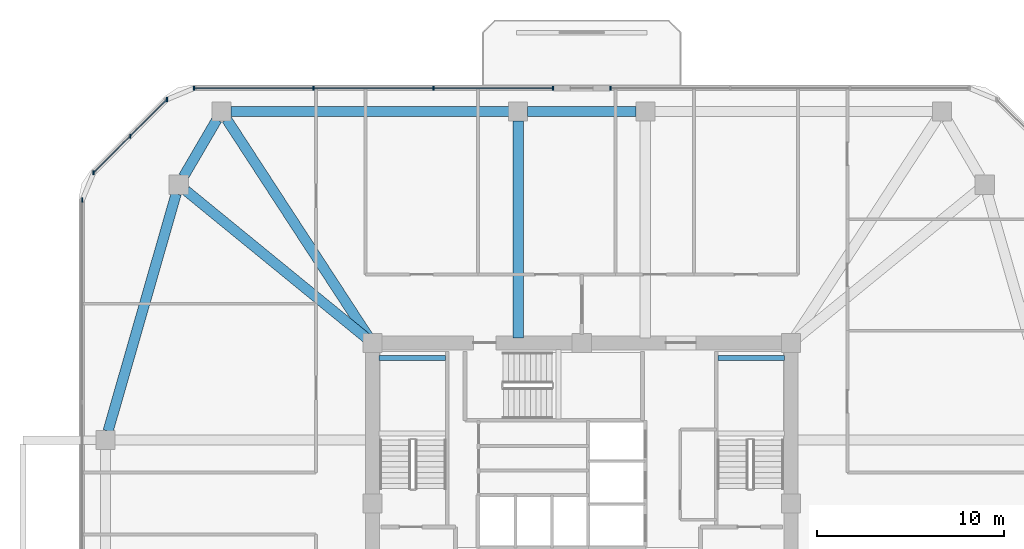
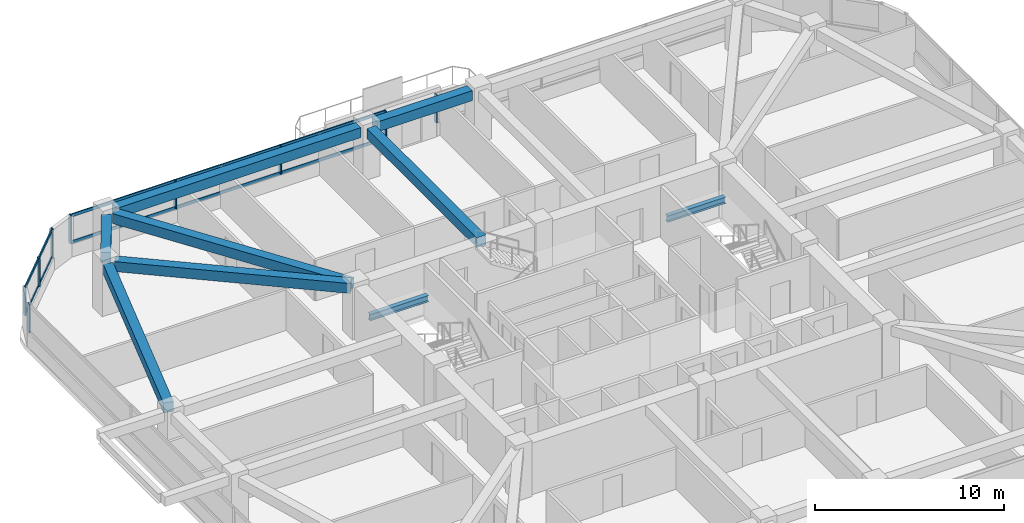
# One storey, part 6 of 14: 13 members, 9 beams, 4 elements without a shape of their own.
"""IFC4 building model written with IfcOpenShell, lengths in metres."""

from ifc_helpers import new_model, si_unit, derived_unit, direction, frame, origin, origin_2d, place, context, subcontext, project, spatial, rectangle, i_section, extrude, material, material_profile, profile_set, type_object, element, aggregate, save


model = new_model("IFC4")

# Units and contexts
model_context = context("Model", 3, precision=1e-05, world=origin(), true_north=direction((0.0, 1.0)))
body_context = subcontext(model_context, "Body", "Model", "MODEL_VIEW")
ifc_project = project(units=[si_unit("LENGTHUNIT", "METRE"), si_unit("AREAUNIT", "SQUARE_METRE"), si_unit("VOLUMEUNIT", "CUBIC_METRE"), si_unit("PLANEANGLEUNIT", "RADIAN"), si_unit("MASSUNIT", "GRAM", prefix="KILO"), derived_unit("THERMALTRANSMITTANCEUNIT", [(si_unit("POWERUNIT", "WATT"), 1), (si_unit("LENGTHUNIT", "METRE"), -2), (si_unit("THERMODYNAMICTEMPERATUREUNIT", "KELVIN"), -1)])], contexts=[model_context])

# Site, building, storey
site_placement = place(None, origin())
site = spatial("IfcSite", under=ifc_project, at=site_placement, CompositionType="ELEMENT")
building_placement = place(site_placement, origin())
building = spatial("IfcBuilding", under=site, at=building_placement, Name="Koralith Skygarden Medical Center", CompositionType="ELEMENT")
storey_placement = place(building_placement, frame((0.0, 0.0, 81.179931640625)))
storey = spatial("IfcBuildingStorey", under=building, at=storey_placement, Name="L20", CompositionType="ELEMENT", Elevation=81.179931640625)

# Curtain wall, member
ifc_material_1 = material(Name="Clear Laminated Glass", Category="glass")
curtain_wall_type = type_object("IfcCurtainWallType", Name="CW-3 Zone 2 Faceted Solar Curtain Wall", PredefinedType="NOTDEFINED", material=ifc_material_1)
curtain_wall_1_placement = place(storey_placement, origin())
curtain_wall_1 = element("IfcCurtainWall", 1, at=curtain_wall_1_placement, inside=storey, type_object=curtain_wall_type, Name="Curtain Wall CW-L20-N-L", PredefinedType="NOTDEFINED")
ifc_material_2 = material(Name="Aluminium 6063-T6", Category="aluminium")
ifc_material_profile_1 = material_profile(ifc_material_2, rectangle(XDim=0.073974609375, YDim=0.219970703125, at=origin_2d()), Name="MUL74X220")
ifc_profile_set_1 = profile_set([ifc_material_profile_1], Name="Aluminium 6063-T6")
member_type_1 = type_object("IfcMemberType", Name="CW-3 Extruded Mullion 74x220", PredefinedType="MULLION", material=ifc_profile_set_1)
member_1_placement = place(storey_placement, frame((38.541015625, 48.1201171875, 0.85009765625), z_axis=(0.0, 0.0, 1.0), x_axis=(1.0, 0.0, 0.0)))
member_1 = element("IfcMember", 2, at=member_1_placement, type_object=member_type_1, Name="CW-L20-N-L Mullion 4", PredefinedType="MULLION", context=body_context, shape_type="SweptSolid", body=[
    extrude(rectangle(XDim=0.073974609375, YDim=0.219970703125, at=origin_2d()), origin(), (0.0, 0.0, 1.0), 1.820068359375),
])
aggregate(curtain_wall_1, [member_1])

# Curtain wall, members
curtain_wall_2_placement = place(storey_placement, origin())
curtain_wall_2 = element("IfcCurtainWall", 3, at=curtain_wall_2_placement, inside=storey, type_object=curtain_wall_type, Name="Curtain Wall CW-L20-N-R", PredefinedType="NOTDEFINED")
member_2_placement = place(storey_placement, frame((35.4609375, 48.1201171875, 0.85009765625), z_axis=(0.0, 0.0, 1.0), x_axis=(1.0, 0.0, 0.0)))
member_2 = element("IfcMember", 4, at=member_2_placement, type_object=member_type_1, Name="CW-L20-N-R Mullion 1", PredefinedType="MULLION", context=body_context, shape_type="SweptSolid", body=[
    extrude(rectangle(XDim=0.073974609375, YDim=0.219970703125, at=origin_2d()), origin(), (0.0, 0.0, 1.0), 1.820068359375),
])
member_3_placement = place(storey_placement, frame((29.05908203125, 48.1201171875, 0.85009765625), z_axis=(0.0, 0.0, 1.0), x_axis=(1.0, 0.0, 0.0)))
member_3 = element("IfcMember", 5, at=member_3_placement, type_object=member_type_1, Name="CW-L20-N-R Mullion 2", PredefinedType="MULLION", context=body_context, shape_type="SweptSolid", body=[
    extrude(rectangle(XDim=0.073974609375, YDim=0.219970703125, at=origin_2d()), origin(), (0.0, 0.0, 1.0), 1.820068359375),
])
member_4_placement = place(storey_placement, frame((22.656982421875, 48.1201171875, 0.85009765625), z_axis=(0.0, 0.0, 1.0), x_axis=(1.0, 0.0, 0.0)))
member_4 = element("IfcMember", 6, at=member_4_placement, type_object=member_type_1, Name="CW-L20-N-R Mullion 3", PredefinedType="MULLION", context=body_context, shape_type="SweptSolid", body=[
    extrude(rectangle(XDim=0.073974609375, YDim=0.219970703125, at=origin_2d()), origin(), (0.0, 0.0, 1.0), 1.820068359375),
])
member_5_placement = place(storey_placement, frame((16.2548828125, 48.1201171875, 0.85009765625), z_axis=(0.0, 0.0, 1.0), x_axis=(1.0, 0.0, 0.0)))
member_5 = element("IfcMember", 7, at=member_5_placement, type_object=member_type_1, Name="CW-L20-N-R Mullion 4", PredefinedType="MULLION", context=body_context, shape_type="SweptSolid", body=[
    extrude(rectangle(XDim=0.073974609375, YDim=0.219970703125, at=origin_2d()), origin(), (0.0, 0.0, 1.0), 1.820068359375),
])

curtain_wall_3_placement = place(storey_placement, origin())
curtain_wall_3 = element("IfcCurtainWall", 8, at=curtain_wall_3_placement, inside=storey, type_object=curtain_wall_type, Name="Curtain Wall CW-L20-NW", PredefinedType="NOTDEFINED")
member_6_placement = place(storey_placement, frame((14.803955078125, 47.51904296875, 0.85009765625), z_axis=(0.0, 0.0, 1.0), x_axis=(1.0, 0.0, 0.0)))
member_6 = element("IfcMember", 9, at=member_6_placement, type_object=member_type_1, Name="CW-L20-NW Mullion 1", PredefinedType="MULLION", context=body_context, shape_type="SweptSolid", body=[
    extrude(rectangle(XDim=0.073974609375, YDim=0.219970703125, at=origin_2d()), origin(), (0.0, 0.0, 1.0), 1.820068359375),
])
member_7_placement = place(storey_placement, frame((12.843017578125, 45.556884765625, 0.85009765625), z_axis=(0.0, 0.0, 1.0), x_axis=(1.0, 0.0, 0.0)))
member_7 = element("IfcMember", 10, at=member_7_placement, type_object=member_type_1, Name="CW-L20-NW Mullion 2", PredefinedType="MULLION", context=body_context, shape_type="SweptSolid", body=[
    extrude(rectangle(XDim=0.073974609375, YDim=0.219970703125, at=origin_2d()), origin(), (0.0, 0.0, 1.0), 1.820068359375),
])
member_8_placement = place(storey_placement, frame((10.881103515625, 43.595947265625, 0.85009765625), z_axis=(0.0, 0.0, 1.0), x_axis=(1.0, 0.0, 0.0)))
member_8 = element("IfcMember", 11, at=member_8_placement, type_object=member_type_1, Name="CW-L20-NW Mullion 3", PredefinedType="MULLION", context=body_context, shape_type="SweptSolid", body=[
    extrude(rectangle(XDim=0.073974609375, YDim=0.219970703125, at=origin_2d()), origin(), (0.0, 0.0, 1.0), 1.820068359375),
])

# Curtain wall, member
curtain_wall_4_placement = place(storey_placement, origin())
curtain_wall_4 = element("IfcCurtainWall", 12, at=curtain_wall_4_placement, inside=storey, type_object=curtain_wall_type, Name="Curtain Wall CW-L20-W", PredefinedType="NOTDEFINED")
member_9_placement = place(storey_placement, frame((10.280029296875, 42.14501953125, 0.85009765625), z_axis=(0.0, 0.0, 1.0), x_axis=(1.0, 0.0, 0.0)))
member_9 = element("IfcMember", 13, at=member_9_placement, type_object=member_type_1, Name="CW-L20-W Mullion 1", PredefinedType="MULLION", context=body_context, shape_type="SweptSolid", body=[
    extrude(rectangle(XDim=0.073974609375, YDim=0.219970703125, at=origin_2d()), origin(), (0.0, 0.0, 1.0), 1.820068359375),
])
aggregate(curtain_wall_4, [member_9])

# Member
ifc_material_profile_2 = material_profile(ifc_material_2, rectangle(XDim=0.069091796875, YDim=0.197998046875, at=origin_2d()), Name="TRN69X198")
ifc_profile_set_2 = profile_set([ifc_material_profile_2], Name="Aluminium 6063-T6")
member_type_2 = type_object("IfcMemberType", Name="CW-3 Thermal Transom 69x198", PredefinedType="USERDEFINED", material=ifc_profile_set_2)
member_10_placement = place(storey_placement, frame((35.4609375, 48.1201171875, 0.900146484375), z_axis=(-1.0, 0.0, 0.0), x_axis=(0.0, -1.0, 0.0)))
member_10 = element("IfcMember", 14, at=member_10_placement, type_object=member_type_2, Name="CW-L20-N-R Transom 1", ObjectType="TRANSOM", PredefinedType="USERDEFINED", context=body_context, shape_type="SweptSolid", body=[
    extrude(rectangle(XDim=0.069091796875, YDim=0.197998046875, at=origin_2d()), origin(), (0.0, 0.0, 1.0), 19.2060546875),
])

member_11_placement = place(storey_placement, frame((35.4609375, 48.1201171875, 2.6201171875), z_axis=(-1.0, 0.0, 0.0), x_axis=(0.0, -1.0, 0.0)))
member_11 = element("IfcMember", 15, at=member_11_placement, type_object=member_type_2, Name="CW-L20-N-R Transom 2", ObjectType="TRANSOM", PredefinedType="USERDEFINED", context=body_context, shape_type="SweptSolid", body=[
    extrude(rectangle(XDim=0.069091796875, YDim=0.197998046875, at=origin_2d()), origin(), (0.0, 0.0, 1.0), 19.2060546875),
])

aggregate(curtain_wall_2, [member_2, member_3, member_4, member_5, member_10, member_11])

member_12_placement = place(storey_placement, frame((14.803955078125, 47.51904296875, 0.900146484375), z_axis=(-0.707084777957, -0.707128783731, 0.0), x_axis=(0.707128783731, -0.707084777957, 0.0)))
member_12 = element("IfcMember", 16, at=member_12_placement, type_object=member_type_2, Name="CW-L20-NW Transom 1", ObjectType="TRANSOM", PredefinedType="USERDEFINED", context=body_context, shape_type="SweptSolid", body=[
    extrude(rectangle(XDim=0.069091796875, YDim=0.197998046875, at=origin_2d()), origin(), (0.0, 0.0, 1.0), 5.5478515625),
])

member_13_placement = place(storey_placement, frame((14.803955078125, 47.51904296875, 2.6201171875), z_axis=(-0.707084777957, -0.707128783731, 0.0), x_axis=(0.707128783731, -0.707084777957, 0.0)))
member_13 = element("IfcMember", 17, at=member_13_placement, type_object=member_type_2, Name="CW-L20-NW Transom 2", ObjectType="TRANSOM", PredefinedType="USERDEFINED", context=body_context, shape_type="SweptSolid", body=[
    extrude(rectangle(XDim=0.069091796875, YDim=0.197998046875, at=origin_2d()), origin(), (0.0, 0.0, 1.0), 5.5478515625),
])

aggregate(curtain_wall_3, [member_6, member_7, member_8, member_12, member_13])

# Beams
ifc_material_3 = material(Name="Steel ASTM A992 Grade 50", Category="steel")
ifc_material_profile_3 = material_profile(ifc_material_3, i_section(OverallWidth=0.260009765625, OverallDepth=0.4150390625, WebThickness=0.010009765625, FlangeThickness=0.016845703125, at=origin_2d()), Name="W16X67")
ifc_profile_set_3 = profile_set([ifc_material_profile_3], Name="Steel ASTM A992 Grade 50")
beam_type_1 = type_object("IfcBeamType", Name="Clinical Floor Joist W16X67", PredefinedType="JOIST", material=ifc_profile_set_3)
for number, where, z_axis, x_axis, name in (
    (18, (26.155029296875, 33.699951171875, 1.39306640625), (1.0, 0.0, 0.0), (0.0, 1.0, 0.0), "L20 Stair ST1 Half-Landing Support Beam 1B"),
    (19, (44.280029296875, 33.699951171875, 1.39306640625), (1.0, 0.0, 0.0), (0.0, 1.0, 0.0), "L20 Stair ST2 Half-Landing Support Beam 1B"),
):
    element("IfcBeam", number, at=place(storey_placement, frame(where, z_axis=z_axis, x_axis=x_axis)), inside=storey, type_object=beam_type_1, Name=name, PredefinedType="JOIST", context=body_context, shape_type="SweptSolid", body=[
        extrude(i_section(OverallWidth=0.260009765625, OverallDepth=0.4150390625, WebThickness=0.010009765625, FlangeThickness=0.016845703125, at=origin_2d()), origin(), (0.0, 0.0, 1.0), 3.56494140625),
    ])
ifc_material_4 = material(Name="Concrete C45/55", Category="concrete")
ifc_material_profile_4 = material_profile(ifc_material_4, rectangle(XDim=0.550048828125, YDim=0.639892578125, at=origin_2d()), Name="RCB550X640")
ifc_profile_set_4 = profile_set([ifc_material_profile_4], Name="Concrete C45/55")
beam_type_2 = type_object("IfcBeamType", Name="Radial Collector Beam RCB550X640", PredefinedType="BEAM", material=ifc_profile_set_4)
beam_1_placement = place(storey_placement, frame((33.60009765625, 34.75, 3.0), z_axis=(0.0, 1.0, 0.0), x_axis=(-1.0, 0.0, 0.0)))
element("IfcBeam", 20, at=beam_1_placement, inside=storey, type_object=beam_type_2, Name="L20 Radial Collector Beam RB-13", PredefinedType="BEAM", context=body_context, shape_type="SweptSolid", body=[
    extrude(rectangle(XDim=0.550048828125, YDim=0.639892578125, at=origin_2d()), origin(), (0.0, 0.0, 1.0), 11.6298828125),
])
beam_2_placement = place(storey_placement, frame((25.6640625, 34.708984375, 3.0), z_axis=(-0.546010797592, 0.83777813824, 0.0), x_axis=(-0.83777813824, -0.546010797592, 0.0)))
element("IfcBeam", 21, at=beam_2_placement, inside=storey, type_object=beam_type_2, Name="L20 Radial Collector Beam RB-14", PredefinedType="BEAM", context=body_context, shape_type="SweptSolid", body=[
    extrude(rectangle(XDim=0.550048828125, YDim=0.639892578125, at=origin_2d()), origin(), (0.0, 0.0, 1.0), 14.027587890625),
])
beam_3_placement = place(storey_placement, frame((25.60595703125, 34.657958984375, 3.0), z_axis=(-0.774537653753, 0.632527804067, 0.0), x_axis=(-0.632527804067, -0.774537653753, 0.0)))
element("IfcBeam", 22, at=beam_3_placement, inside=storey, type_object=beam_type_2, Name="L20 Radial Collector Beam RB-15", PredefinedType="BEAM", context=body_context, shape_type="SweptSolid", body=[
    extrude(rectangle(XDim=0.550048828125, YDim=0.639892578125, at=origin_2d()), origin(), (0.0, 0.0, 1.0), 12.625732421875),
])
ifc_material_profile_5 = material_profile(ifc_material_4, rectangle(XDim=0.550048828125, YDim=0.639892578125, at=origin_2d()), Name="RCB550X640")
ifc_profile_set_5 = profile_set([ifc_material_profile_5], Name="Concrete C45/55")
beam_type_3 = type_object("IfcBeamType", Name="Zone 2-3 Spandrel Beam RCB550X640", PredefinedType="SPANDREL", material=ifc_profile_set_5)
beam_4_placement = place(storey_placement, frame((39.89990234375, 46.8798828125, 3.0), z_axis=(-1.0, 0.0, 0.0), x_axis=(0.0, -1.0, 0.0)))
element("IfcBeam", 23, at=beam_4_placement, inside=storey, type_object=beam_type_3, Name="L20 Perimeter Spandrel Beam SP-12", PredefinedType="SPANDREL", context=body_context, shape_type="SweptSolid", body=[
    extrude(rectangle(XDim=0.550048828125, YDim=0.639892578125, at=origin_2d()), origin(), (0.0, 0.0, 1.0), 5.7998046875),
])
beam_5_placement = place(storey_placement, frame((33.10009765625, 46.8798828125, 3.0), z_axis=(-1.0, 0.0, 0.0), x_axis=(0.0, -1.0, 0.0)))
element("IfcBeam", 24, at=beam_5_placement, inside=storey, type_object=beam_type_3, Name="L20 Perimeter Spandrel Beam SP-13", PredefinedType="SPANDREL", context=body_context, shape_type="SweptSolid", body=[
    extrude(rectangle(XDim=0.550048828125, YDim=0.639892578125, at=origin_2d()), origin(), (0.0, 0.0, 1.0), 14.8681640625),
])
beam_6_placement = place(storey_placement, frame((17.47998046875, 46.447998046875, 3.0), z_axis=(-0.50502386975, -0.863105376523, 0.0), x_axis=(0.863105376523, -0.50502386975, 0.0)))
element("IfcBeam", 25, at=beam_6_placement, inside=storey, type_object=beam_type_3, Name="L20 Perimeter Spandrel Beam SP-14", PredefinedType="SPANDREL", context=body_context, shape_type="SweptSolid", body=[
    extrude(rectangle(XDim=0.550048828125, YDim=0.639892578125, at=origin_2d()), origin(), (0.0, 0.0, 1.0), 3.54052734375),
])
beam_7_placement = place(storey_placement, frame((15.302001953125, 42.47900390625, 3.0), z_axis=(-0.275843733572, -0.961202494092, 0.0), x_axis=(0.961202494092, -0.275843733572, 0.0)))
element("IfcBeam", 26, at=beam_7_placement, inside=storey, type_object=beam_type_3, Name="L20 Perimeter Spandrel Beam SP-15", PredefinedType="SPANDREL", context=body_context, shape_type="SweptSolid", body=[
    extrude(rectangle(XDim=0.550048828125, YDim=0.639892578125, at=origin_2d()), origin(), (0.0, 0.0, 1.0), 13.21044921875),
])

save(model, "model.ifc")
